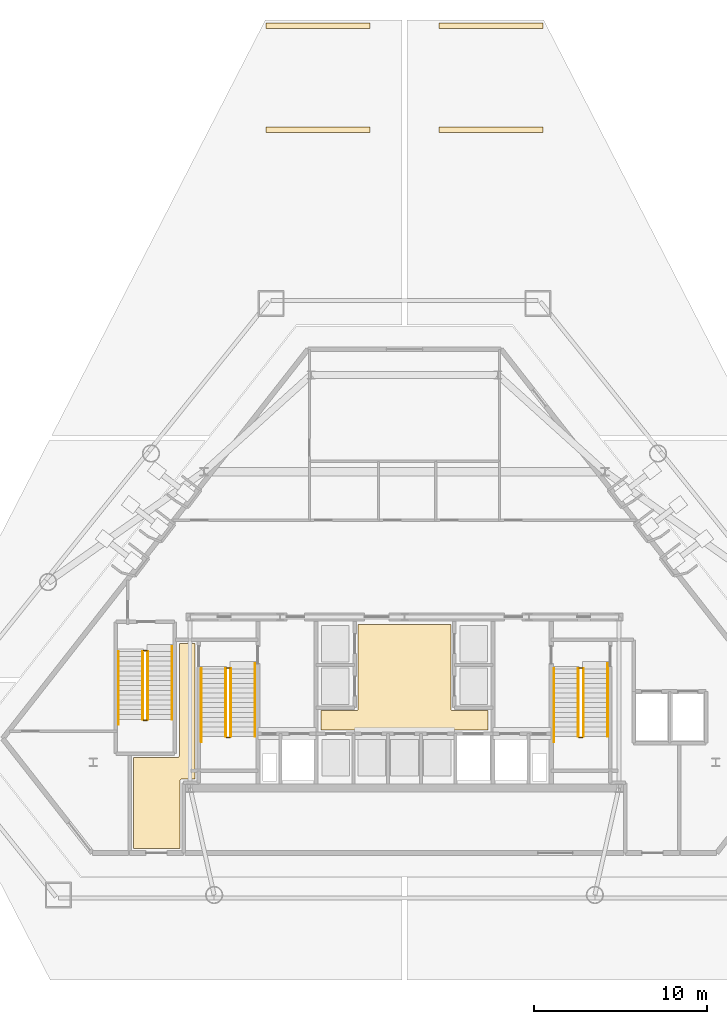
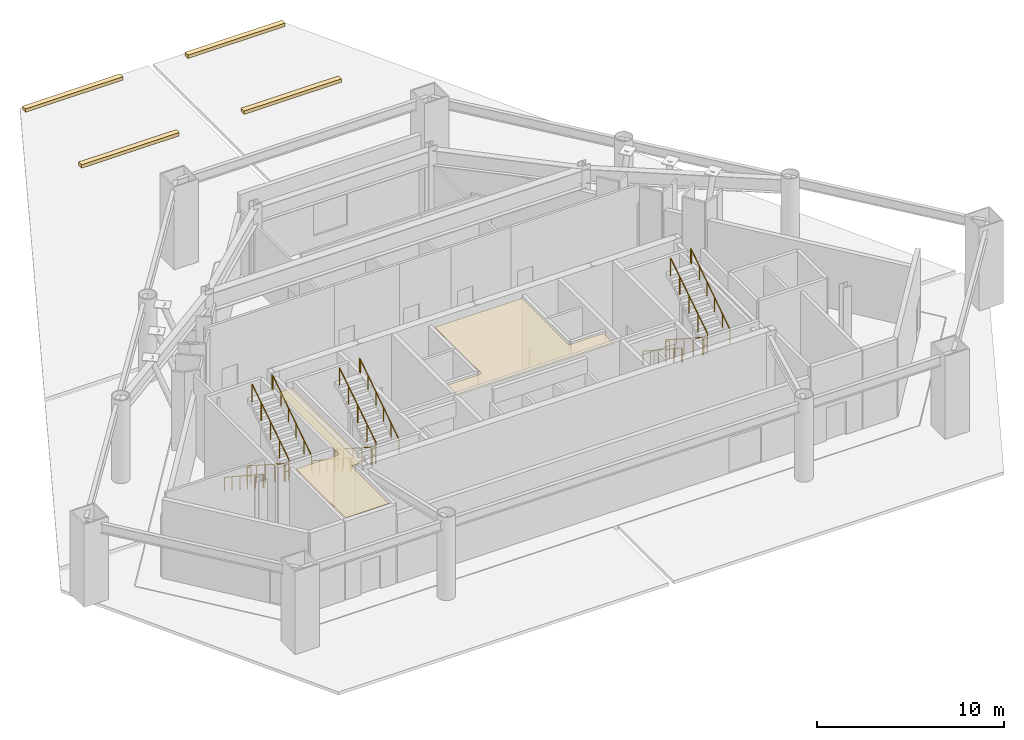
# One storey, part 8 of 9: 18 railings, 6 coverings.
"""IFC4 building model written with IfcOpenShell, lengths in metres."""

from ifc_helpers import new_model, si_unit, direction, frame, origin, origin_2d, place, context, subcontext, project, spatial, polyline, rectangle, outline, extrude, material, layer, layer_set, type_object, element, save


model = new_model("IFC4")

# Units and contexts
model_context = context("Model", 3, precision=1e-05, world=origin(), true_north=direction((0.0, 1.0)))
body_context = subcontext(model_context, "Body", "Model", "MODEL_VIEW")
ifc_project = project(units=[si_unit("LENGTHUNIT", "METRE"), si_unit("AREAUNIT", "SQUARE_METRE"), si_unit("VOLUMEUNIT", "CUBIC_METRE"), si_unit("PLANEANGLEUNIT", "RADIAN"), si_unit("MASSUNIT", "GRAM", prefix="KILO")], contexts=[model_context])

# Site, building, storey
site_placement = place(None, origin())
site = spatial("IfcSite", under=ifc_project, at=site_placement, CompositionType="ELEMENT")
building_placement = place(site_placement, origin())
building = spatial("IfcBuilding", under=site, at=building_placement, Name="Talgorran Terracotta Tower", CompositionType="ELEMENT")
storey_placement = place(building_placement, origin())
storey = spatial("IfcBuildingStorey", under=building, at=storey_placement, Name="L00", CompositionType="ELEMENT", Elevation=0.0)

# Coverings
ifc_material_1 = material(Name="Mineral Fibre Acoustic Tile")
ifc_layer_1 = layer(ifc_material_1, 0.02490234375, Name="COV_CEIL_ACOUSTIC")
ifc_layer_set_1 = layer_set([ifc_layer_1], Name="Mineral Fibre Acoustic Tile")
covering_type_1 = type_object("IfcCoveringType", Name="COV_CEIL_ACOUSTIC", PredefinedType="CEILING", material=ifc_layer_set_1)
covering_1_placement = place(storey_placement, frame((0.0, 0.0, 5.030029296875)))
element("IfcCovering", 1, at=covering_1_placement, inside=storey, type_object=covering_type_1, Name="CEIL-L00-2", PredefinedType="CEILING", context=body_context, shape_type="SweptSolid", body=[
    extrude(outline(polyline([(-12.1201171875, -5.719970703125), (-12.1201171875, -13.580078125), (-12.8798828125, -13.580078125), (-12.891845703125, -13.58056640625), (-12.9033203125, -13.582275390625), (-12.914794921875, -13.585205078125), (-12.92578125, -13.589111328125), (-12.9365234375, -13.59423828125), (-12.94677734375, -13.60009765625), (-12.9560546875, -13.607177734375), (-12.96484375, -13.614990234375), (-12.972900390625, -13.623779296875), (-12.979736328125, -13.63330078125), (-12.98583984375, -13.643310546875), (-12.990966796875, -13.654052734375), (-12.994873046875, -13.665283203125), (-12.997802734375, -13.676513671875), (-12.99951171875, -13.688232421875), (-13.0, -13.699951171875), (-13.0, -17.60009765625), (-15.679931640625, -17.60009765625), (-15.679931640625, -12.340087890625), (-13.14990234375, -12.340087890625), (-13.13818359375, -12.33935546875), (-13.126708984375, -12.337646484375), (-13.115234375, -12.334716796875), (-13.10400390625, -12.330810546875), (-13.093505859375, -12.32568359375), (-13.083251953125, -12.31982421875), (-13.073974609375, -12.312744140625), (-13.065185546875, -12.304931640625), (-13.05712890625, -12.296142578125), (-13.05029296875, -12.28662109375), (-13.044189453125, -12.276611328125), (-13.0390625, -12.265869140625), (-13.03515625, -12.2548828125), (-13.0322265625, -12.243408203125), (-13.030517578125, -12.231689453125), (-13.030029296875, -12.219970703125), (-13.030029296875, -5.719970703125), (-12.1201171875, -5.719970703125)])), origin(), (0.0, 0.0, 1.0), 0.02001953125),
])
ifc_material_2 = material(Name="Flush Moisture-Resistant Plaster")
ifc_layer_2 = layer(ifc_material_2, 0.01806640625, Name="COV_CEIL_PLASTER")
ifc_layer_set_2 = layer_set([ifc_layer_2], Name="Flush Moisture-Resistant Plaster")
covering_type_2 = type_object("IfcCoveringType", Name="COV_CEIL_PLASTER", PredefinedType="CEILING", material=ifc_layer_set_2)
covering_2_placement = place(storey_placement, frame((0.0, 0.0, 5.030029296875)))
element("IfcCovering", 2, at=covering_2_placement, inside=storey, type_object=covering_type_2, Name="CEIL-L00-1", PredefinedType="CEILING", context=body_context, shape_type="SweptSolid", body=[
    extrude(outline(polyline([(-4.830078125, -9.6201171875), (-2.800048828125, -9.6201171875), (-2.7880859375, -9.619384765625), (-2.776611328125, -9.61767578125), (-2.76513671875, -9.61474609375), (-2.754150390625, -9.61083984375), (-2.743408203125, -9.605712890625), (-2.7333984375, -9.599853515625), (-2.723876953125, -9.5927734375), (-2.715087890625, -9.5849609375), (-2.707275390625, -9.576171875), (-2.7001953125, -9.566650390625), (-2.694091796875, -9.556640625), (-2.689208984375, -9.5458984375), (-2.685302734375, -9.534912109375), (-2.682373046875, -9.5234375), (-2.6806640625, -9.51171875), (-2.679931640625, -9.5), (-2.679931640625, -4.6201171875), (2.679931640625, -4.6201171875), (2.679931640625, -9.5), (2.6806640625, -9.51171875), (2.682373046875, -9.5234375), (2.685302734375, -9.534912109375), (2.689208984375, -9.5458984375), (2.694091796875, -9.556640625), (2.7001953125, -9.566650390625), (2.707275390625, -9.576171875), (2.715087890625, -9.5849609375), (2.723876953125, -9.5927734375), (2.7333984375, -9.599853515625), (2.743408203125, -9.605712890625), (2.754150390625, -9.61083984375), (2.76513671875, -9.61474609375), (2.776611328125, -9.61767578125), (2.7880859375, -9.619384765625), (2.800048828125, -9.6201171875), (4.830078125, -9.6201171875), (4.830078125, -10.72998046875), (-4.830078125, -10.72998046875), (-4.830078125, -9.6201171875)])), origin(), (0.0, 0.0, 1.0), 0.02001953125),
])
ifc_material_3 = material(Name="Kiln-Fired Terracotta Planter Rim", Category="masonry")
ifc_layer_3 = layer(ifc_material_3, 0.10009765625, Name="COV_PLANTER_RIM")
ifc_layer_set_3 = layer_set([ifc_layer_3], Name="Kiln-Fired Terracotta Planter Rim")
covering_type_3 = type_object("IfcCoveringType", Name="COV_PLANTER_RIM", PredefinedType="CLADDING", material=ifc_layer_set_3)
for number, where, z_axis, x_axis, name in (
    (3, (-5.0, 24.0, 0.0), (0.0, 0.0, 1.0), (1.0, 0.0, 0.0), "Forecourt Plaza Planter Curb 1"),
    (4, (5.0, 24.0, 0.0), (0.0, 0.0, 1.0), (1.0, 0.0, 0.0), "Forecourt Plaza Planter Curb 2"),
    (5, (-5.0, 30.0, 0.0), (0.0, 0.0, 1.0), (1.0, 0.0, 0.0), "Forecourt Plaza Planter Curb 3"),
    (6, (5.0, 30.0, 0.0), (0.0, 0.0, 1.0), (1.0, 0.0, 0.0), "Forecourt Plaza Planter Curb 4"),
):
    element("IfcCovering", number, at=place(storey_placement, frame(where, z_axis=z_axis, x_axis=x_axis)), inside=storey, type_object=covering_type_3, Name=name, PredefinedType="CLADDING", context=body_context, shape_type="SweptSolid", body=[
        extrude(rectangle(XDim=6.0, YDim=0.320068359375, at=origin_2d()), origin(), (0.0, 0.0, 1.0), 0.219970703125),
    ])

# Railings
ifc_material_4 = material(Name="Steel S355 (300PLUS)", Category="steel")
railing_type_1 = type_object("IfcRailingType", Name="RL_HANDRAIL_920", PredefinedType="HANDRAIL", material=ifc_material_4)
railing_1_placement = place(storey_placement, frame((-11.75, -7.199951171875, 0.179931640625)))
element("IfcRailing", 7, at=railing_1_placement, inside=storey, type_object=railing_type_1, Name="L00 ST-01 stair handrail 1", PredefinedType="HANDRAIL", context=body_context, shape_type="SweptSolid", body=[
    extrude(rectangle(XDim=0.048095703125, YDim=0.048095703125, at=origin_2d()), frame((0.0, 0.0, 0.89599609375), z_axis=(0.0, -0.835181450546, 0.549974494557), x_axis=(1.0, 0.0, 0.0)), (0.0, 0.0, 1.0), 4.9091796875),
    extrude(rectangle(XDim=0.048095703125, YDim=0.048095703125, at=origin_2d()), frame((0.0, -4.10009765625, 3.595703125), z_axis=(0.0, -1.0, 0.0), x_axis=(1.0, 0.0, 0.0)), (0.0, 0.0, 1.0), 0.119873046875),
    extrude(rectangle(XDim=0.0419921875, YDim=0.0419921875, at=origin_2d()), origin(), (0.0, 0.0, 1.0), 0.871826171875),
    extrude(rectangle(XDim=0.0419921875, YDim=0.0419921875, at=origin_2d()), frame((0.0, -0.820068359375, 0.5400390625)), (0.0, 0.0, 1.0), 0.871826171875),
    extrude(rectangle(XDim=0.0419921875, YDim=0.0419921875, at=origin_2d()), frame((0.0, -1.64013671875, 1.080078125)), (0.0, 0.0, 1.0), 0.871826171875),
    extrude(rectangle(XDim=0.0419921875, YDim=0.0419921875, at=origin_2d()), frame((0.0, -2.4599609375, 1.619873046875)), (0.0, 0.0, 1.0), 0.871826171875),
    extrude(rectangle(XDim=0.0419921875, YDim=0.0419921875, at=origin_2d()), frame((0.0, -3.280029296875, 2.159912109375)), (0.0, 0.0, 1.0), 0.871826171875),
    extrude(rectangle(XDim=0.0419921875, YDim=0.0419921875, at=origin_2d()), frame((0.0, -4.10009765625, 2.699951171875)), (0.0, 0.0, 1.0), 0.871826171875),
    extrude(rectangle(XDim=0.0419921875, YDim=0.0419921875, at=origin_2d()), frame((0.0, -4.219970703125, 2.699951171875)), (0.0, 0.0, 1.0), 0.871826171875),
])
railing_2_placement = place(storey_placement, frame((-8.64990234375, -11.1201171875, 2.8798828125)))
element("IfcRailing", 8, at=railing_2_placement, inside=storey, type_object=railing_type_1, Name="L00 ST-01 stair handrail 2", PredefinedType="HANDRAIL", context=body_context, shape_type="SweptSolid", body=[
    extrude(rectangle(XDim=0.048095703125, YDim=0.048095703125, at=origin_2d()), frame((0.0, 0.0, 0.89599609375), z_axis=(0.0, 0.835158607612, 0.550009181862), x_axis=(-1.0, 0.0, 0.0)), (0.0, 0.0, 1.0), 4.909423828125),
    extrude(rectangle(XDim=0.048095703125, YDim=0.048095703125, at=origin_2d()), frame((0.0, 4.10009765625, 3.59619140625), z_axis=(0.0, 1.0, 0.0), x_axis=(-1.0, 0.0, 0.0)), (0.0, 0.0, 1.0), 0.1201171875),
    extrude(rectangle(XDim=0.0419921875, YDim=0.0419921875, at=origin_2d()), origin(), (0.0, 0.0, 1.0), 0.871826171875),
    extrude(rectangle(XDim=0.0419921875, YDim=0.0419921875, at=origin_2d()), frame((0.0, 0.820068359375, 0.5400390625)), (0.0, 0.0, 1.0), 0.871826171875),
    extrude(rectangle(XDim=0.0419921875, YDim=0.0419921875, at=origin_2d()), frame((0.0, 1.64013671875, 1.080078125)), (0.0, 0.0, 1.0), 0.871826171875),
    extrude(rectangle(XDim=0.0419921875, YDim=0.0419921875, at=origin_2d()), frame((0.0, 2.4599609375, 1.6201171875)), (0.0, 0.0, 1.0), 0.871826171875),
    extrude(rectangle(XDim=0.0419921875, YDim=0.0419921875, at=origin_2d()), frame((0.0, 3.280029296875, 2.16015625)), (0.0, 0.0, 1.0), 0.871826171875),
    extrude(rectangle(XDim=0.0419921875, YDim=0.0419921875, at=origin_2d()), frame((0.0, 4.10009765625, 2.7001953125)), (0.0, 0.0, 1.0), 0.871826171875),
    extrude(rectangle(XDim=0.0419921875, YDim=0.0419921875, at=origin_2d()), frame((0.0, 4.22021484375, 2.7001953125)), (0.0, 0.0, 1.0), 0.871826171875),
])
railing_3_placement = place(storey_placement, frame((8.64990234375, -7.199951171875, 0.179931640625)))
element("IfcRailing", 9, at=railing_3_placement, inside=storey, type_object=railing_type_1, Name="L00 ST-02 stair handrail 1", PredefinedType="HANDRAIL", context=body_context, shape_type="SweptSolid", body=[
    extrude(rectangle(XDim=0.048095703125, YDim=0.048095703125, at=origin_2d()), frame((0.0, 0.0, 0.89599609375), z_axis=(0.0, -0.835181450546, 0.549974494557), x_axis=(1.0, 0.0, 0.0)), (0.0, 0.0, 1.0), 4.9091796875),
    extrude(rectangle(XDim=0.048095703125, YDim=0.048095703125, at=origin_2d()), frame((0.0, -4.10009765625, 3.595703125), z_axis=(0.0, -1.0, 0.0), x_axis=(1.0, 0.0, 0.0)), (0.0, 0.0, 1.0), 0.119873046875),
    extrude(rectangle(XDim=0.0419921875, YDim=0.0419921875, at=origin_2d()), origin(), (0.0, 0.0, 1.0), 0.871826171875),
    extrude(rectangle(XDim=0.0419921875, YDim=0.0419921875, at=origin_2d()), frame((0.0, -0.820068359375, 0.5400390625)), (0.0, 0.0, 1.0), 0.871826171875),
    extrude(rectangle(XDim=0.0419921875, YDim=0.0419921875, at=origin_2d()), frame((0.0, -1.64013671875, 1.080078125)), (0.0, 0.0, 1.0), 0.871826171875),
    extrude(rectangle(XDim=0.0419921875, YDim=0.0419921875, at=origin_2d()), frame((0.0, -2.4599609375, 1.619873046875)), (0.0, 0.0, 1.0), 0.871826171875),
    extrude(rectangle(XDim=0.0419921875, YDim=0.0419921875, at=origin_2d()), frame((0.0, -3.280029296875, 2.159912109375)), (0.0, 0.0, 1.0), 0.871826171875),
    extrude(rectangle(XDim=0.0419921875, YDim=0.0419921875, at=origin_2d()), frame((0.0, -4.10009765625, 2.699951171875)), (0.0, 0.0, 1.0), 0.871826171875),
    extrude(rectangle(XDim=0.0419921875, YDim=0.0419921875, at=origin_2d()), frame((0.0, -4.219970703125, 2.699951171875)), (0.0, 0.0, 1.0), 0.871826171875),
])
railing_4_placement = place(storey_placement, frame((11.75, -11.1201171875, 2.8798828125)))
element("IfcRailing", 10, at=railing_4_placement, inside=storey, type_object=railing_type_1, Name="L00 ST-02 stair handrail 2", PredefinedType="HANDRAIL", context=body_context, shape_type="SweptSolid", body=[
    extrude(rectangle(XDim=0.048095703125, YDim=0.048095703125, at=origin_2d()), frame((0.0, 0.0, 0.89599609375), z_axis=(0.0, 0.835158607612, 0.550009181862), x_axis=(-1.0, 0.0, 0.0)), (0.0, 0.0, 1.0), 4.909423828125),
    extrude(rectangle(XDim=0.048095703125, YDim=0.048095703125, at=origin_2d()), frame((0.0, 4.10009765625, 3.59619140625), z_axis=(0.0, 1.0, 0.0), x_axis=(-1.0, 0.0, 0.0)), (0.0, 0.0, 1.0), 0.1201171875),
    extrude(rectangle(XDim=0.0419921875, YDim=0.0419921875, at=origin_2d()), origin(), (0.0, 0.0, 1.0), 0.871826171875),
    extrude(rectangle(XDim=0.0419921875, YDim=0.0419921875, at=origin_2d()), frame((0.0, 0.820068359375, 0.5400390625)), (0.0, 0.0, 1.0), 0.871826171875),
    extrude(rectangle(XDim=0.0419921875, YDim=0.0419921875, at=origin_2d()), frame((0.0, 1.64013671875, 1.080078125)), (0.0, 0.0, 1.0), 0.871826171875),
    extrude(rectangle(XDim=0.0419921875, YDim=0.0419921875, at=origin_2d()), frame((0.0, 2.4599609375, 1.6201171875)), (0.0, 0.0, 1.0), 0.871826171875),
    extrude(rectangle(XDim=0.0419921875, YDim=0.0419921875, at=origin_2d()), frame((0.0, 3.280029296875, 2.16015625)), (0.0, 0.0, 1.0), 0.871826171875),
    extrude(rectangle(XDim=0.0419921875, YDim=0.0419921875, at=origin_2d()), frame((0.0, 4.10009765625, 2.7001953125)), (0.0, 0.0, 1.0), 0.871826171875),
    extrude(rectangle(XDim=0.0419921875, YDim=0.0419921875, at=origin_2d()), frame((0.0, 4.22021484375, 2.7001953125)), (0.0, 0.0, 1.0), 0.871826171875),
])
railing_5_placement = place(storey_placement, frame((-16.550048828125, -6.199951171875, 0.179931640625)))
element("IfcRailing", 11, at=railing_5_placement, inside=storey, type_object=railing_type_1, Name="L00 ST-03 stair handrail 1", PredefinedType="HANDRAIL", context=body_context, shape_type="SweptSolid", body=[
    extrude(rectangle(XDim=0.048095703125, YDim=0.048095703125, at=origin_2d()), frame((0.0, 0.0, 0.89599609375), z_axis=(0.0, -0.835181450546, 0.549974494557), x_axis=(1.0, 0.0, 0.0)), (0.0, 0.0, 1.0), 4.9091796875),
    extrude(rectangle(XDim=0.048095703125, YDim=0.048095703125, at=origin_2d()), frame((0.0, -4.10009765625, 3.595703125), z_axis=(0.0, -1.0, 0.0), x_axis=(1.0, 0.0, 0.0)), (0.0, 0.0, 1.0), 0.119873046875),
    extrude(rectangle(XDim=0.0419921875, YDim=0.0419921875, at=origin_2d()), origin(), (0.0, 0.0, 1.0), 0.871826171875),
    extrude(rectangle(XDim=0.0419921875, YDim=0.0419921875, at=origin_2d()), frame((0.0, -0.820068359375, 0.5400390625)), (0.0, 0.0, 1.0), 0.871826171875),
    extrude(rectangle(XDim=0.0419921875, YDim=0.0419921875, at=origin_2d()), frame((0.0, -1.64013671875, 1.080078125)), (0.0, 0.0, 1.0), 0.871826171875),
    extrude(rectangle(XDim=0.0419921875, YDim=0.0419921875, at=origin_2d()), frame((0.0, -2.4599609375, 1.619873046875)), (0.0, 0.0, 1.0), 0.871826171875),
    extrude(rectangle(XDim=0.0419921875, YDim=0.0419921875, at=origin_2d()), frame((0.0, -3.280029296875, 2.159912109375)), (0.0, 0.0, 1.0), 0.871826171875),
    extrude(rectangle(XDim=0.0419921875, YDim=0.0419921875, at=origin_2d()), frame((0.0, -4.10009765625, 2.699951171875)), (0.0, 0.0, 1.0), 0.871826171875),
    extrude(rectangle(XDim=0.0419921875, YDim=0.0419921875, at=origin_2d()), frame((0.0, -4.219970703125, 2.699951171875)), (0.0, 0.0, 1.0), 0.871826171875),
])
railing_6_placement = place(storey_placement, frame((-13.449951171875, -10.1201171875, 2.8798828125)))
element("IfcRailing", 12, at=railing_6_placement, inside=storey, type_object=railing_type_1, Name="L00 ST-03 stair handrail 2", PredefinedType="HANDRAIL", context=body_context, shape_type="SweptSolid", body=[
    extrude(rectangle(XDim=0.048095703125, YDim=0.048095703125, at=origin_2d()), frame((0.0, 0.0, 0.89599609375), z_axis=(0.0, 0.835158607612, 0.550009181862), x_axis=(-1.0, 0.0, 0.0)), (0.0, 0.0, 1.0), 4.909423828125),
    extrude(rectangle(XDim=0.048095703125, YDim=0.048095703125, at=origin_2d()), frame((0.0, 4.10009765625, 3.59619140625), z_axis=(0.0, 1.0, 0.0), x_axis=(-1.0, 0.0, 0.0)), (0.0, 0.0, 1.0), 0.1201171875),
    extrude(rectangle(XDim=0.0419921875, YDim=0.0419921875, at=origin_2d()), origin(), (0.0, 0.0, 1.0), 0.871826171875),
    extrude(rectangle(XDim=0.0419921875, YDim=0.0419921875, at=origin_2d()), frame((0.0, 0.820068359375, 0.5400390625)), (0.0, 0.0, 1.0), 0.871826171875),
    extrude(rectangle(XDim=0.0419921875, YDim=0.0419921875, at=origin_2d()), frame((0.0, 1.64013671875, 1.080078125)), (0.0, 0.0, 1.0), 0.871826171875),
    extrude(rectangle(XDim=0.0419921875, YDim=0.0419921875, at=origin_2d()), frame((0.0, 2.4599609375, 1.6201171875)), (0.0, 0.0, 1.0), 0.871826171875),
    extrude(rectangle(XDim=0.0419921875, YDim=0.0419921875, at=origin_2d()), frame((0.0, 3.280029296875, 2.16015625)), (0.0, 0.0, 1.0), 0.871826171875),
    extrude(rectangle(XDim=0.0419921875, YDim=0.0419921875, at=origin_2d()), frame((0.0, 4.10009765625, 2.7001953125)), (0.0, 0.0, 1.0), 0.871826171875),
    extrude(rectangle(XDim=0.0419921875, YDim=0.0419921875, at=origin_2d()), frame((0.0, 4.22021484375, 2.7001953125)), (0.0, 0.0, 1.0), 0.871826171875),
])
railing_type_2 = type_object("IfcRailingType", Name="RL_STAIR_GUARD", PredefinedType="GUARDRAIL", material=ifc_material_4)
railing_7_placement = place(storey_placement, frame((-10.35009765625, -7.199951171875, 0.179931640625)))
element("IfcRailing", 13, at=railing_7_placement, inside=storey, type_object=railing_type_2, Name="L00 ST-01 stair guard 1", PredefinedType="GUARDRAIL", context=body_context, shape_type="SweptSolid", body=[
    extrude(rectangle(XDim=0.048095703125, YDim=0.048095703125, at=origin_2d()), frame((0.0, 0.0, 1.15576171875), z_axis=(0.0, -0.841186985886, 0.540744352514), x_axis=(1.0, 0.0, 0.0)), (0.0, 0.0, 1.0), 4.660400390625),
    extrude(rectangle(XDim=0.0419921875, YDim=0.0419921875, at=origin_2d()), origin(), (0.0, 0.0, 1.0), 1.1318359375),
    extrude(rectangle(XDim=0.0419921875, YDim=0.0419921875, at=origin_2d()), frame((0.0, -0.97998046875, 0.6298828125)), (0.0, 0.0, 1.0), 1.1318359375),
    extrude(rectangle(XDim=0.0419921875, YDim=0.0419921875, at=origin_2d()), frame((0.0, -1.9599609375, 1.260009765625)), (0.0, 0.0, 1.0), 1.1318359375),
    extrude(rectangle(XDim=0.0419921875, YDim=0.0419921875, at=origin_2d()), frame((0.0, -2.940185546875, 1.89013671875)), (0.0, 0.0, 1.0), 1.1318359375),
    extrude(rectangle(XDim=0.0419921875, YDim=0.0419921875, at=origin_2d()), frame((0.0, -3.920166015625, 2.52001953125)), (0.0, 0.0, 1.0), 1.1318359375),
])
railing_8_placement = place(storey_placement, frame((-10.300048828125, -11.169921875, 2.699951171875)))
element("IfcRailing", 14, at=railing_8_placement, inside=storey, type_object=railing_type_2, Name="L00 ST-01 stair guard 2", PredefinedType="GUARDRAIL", context=body_context, shape_type="SweptSolid", body=[
    extrude(rectangle(XDim=0.048095703125, YDim=0.048095703125, at=origin_2d()), frame((0.0, 0.0, 1.15576171875), z_axis=(1.0, 0.0, 0.0), x_axis=(0.0, 1.0, 0.0)), (0.0, 0.0, 1.0), 0.199951171875),
    extrude(rectangle(XDim=0.048095703125, YDim=0.048095703125, at=origin_2d()), frame((0.0, 0.0, 0.613525390625), z_axis=(1.0, 0.0, 0.0), x_axis=(0.0, 1.0, 0.0)), (0.0, 0.0, 1.0), 0.199951171875),
    extrude(rectangle(XDim=0.0419921875, YDim=0.0419921875, at=origin_2d()), origin(), (0.0, 0.0, 1.0), 1.1318359375),
    extrude(rectangle(XDim=0.0419921875, YDim=0.0419921875, at=origin_2d()), frame((0.199951171875, 0.0, 0.0)), (0.0, 0.0, 1.0), 1.1318359375),
])
railing_9_placement = place(storey_placement, frame((-10.050048828125, -11.1201171875, 2.8798828125)))
element("IfcRailing", 15, at=railing_9_placement, inside=storey, type_object=railing_type_2, Name="L00 ST-01 stair guard 3", PredefinedType="GUARDRAIL", context=body_context, shape_type="SweptSolid", body=[
    extrude(rectangle(XDim=0.048095703125, YDim=0.048095703125, at=origin_2d()), frame((0.0, 0.0, 1.15576171875), z_axis=(0.0, 0.841186985886, 0.540744352514), x_axis=(-1.0, 0.0, 0.0)), (0.0, 0.0, 1.0), 4.660400390625),
    extrude(rectangle(XDim=0.0419921875, YDim=0.0419921875, at=origin_2d()), origin(), (0.0, 0.0, 1.0), 1.1318359375),
    extrude(rectangle(XDim=0.0419921875, YDim=0.0419921875, at=origin_2d()), frame((0.0, 0.97998046875, 0.6298828125)), (0.0, 0.0, 1.0), 1.1318359375),
    extrude(rectangle(XDim=0.0419921875, YDim=0.0419921875, at=origin_2d()), frame((0.0, 1.9599609375, 1.260009765625)), (0.0, 0.0, 1.0), 1.1318359375),
    extrude(rectangle(XDim=0.0419921875, YDim=0.0419921875, at=origin_2d()), frame((0.0, 2.940185546875, 1.89013671875)), (0.0, 0.0, 1.0), 1.1318359375),
    extrude(rectangle(XDim=0.0419921875, YDim=0.0419921875, at=origin_2d()), frame((0.0, 3.920166015625, 2.52001953125)), (0.0, 0.0, 1.0), 1.1318359375),
])
railing_10_placement = place(storey_placement, frame((-10.300048828125, -7.14990234375, 0.0)))
element("IfcRailing", 16, at=railing_10_placement, inside=storey, type_object=railing_type_2, Name="L00 ST-01 stair guard 4", PredefinedType="GUARDRAIL", context=body_context, shape_type="SweptSolid", body=[
    extrude(rectangle(XDim=0.048095703125, YDim=0.048095703125, at=origin_2d()), frame((0.0, 0.0, 1.15576171875), z_axis=(1.0, 0.0, 0.0), x_axis=(0.0, 1.0, 0.0)), (0.0, 0.0, 1.0), 0.199951171875),
    extrude(rectangle(XDim=0.048095703125, YDim=0.048095703125, at=origin_2d()), frame((0.0, 0.0, 0.613525390625), z_axis=(1.0, 0.0, 0.0), x_axis=(0.0, 1.0, 0.0)), (0.0, 0.0, 1.0), 0.199951171875),
    extrude(rectangle(XDim=0.0419921875, YDim=0.0419921875, at=origin_2d()), origin(), (0.0, 0.0, 1.0), 1.1318359375),
    extrude(rectangle(XDim=0.0419921875, YDim=0.0419921875, at=origin_2d()), frame((0.199951171875, 0.0, 0.0)), (0.0, 0.0, 1.0), 1.1318359375),
])
railing_11_placement = place(storey_placement, frame((10.050048828125, -7.199951171875, 0.179931640625)))
element("IfcRailing", 17, at=railing_11_placement, inside=storey, type_object=railing_type_2, Name="L00 ST-02 stair guard 1", PredefinedType="GUARDRAIL", context=body_context, shape_type="SweptSolid", body=[
    extrude(rectangle(XDim=0.048095703125, YDim=0.048095703125, at=origin_2d()), frame((0.0, 0.0, 1.15576171875), z_axis=(0.0, -0.841186985886, 0.540744352514), x_axis=(1.0, 0.0, 0.0)), (0.0, 0.0, 1.0), 4.660400390625),
    extrude(rectangle(XDim=0.0419921875, YDim=0.0419921875, at=origin_2d()), origin(), (0.0, 0.0, 1.0), 1.1318359375),
    extrude(rectangle(XDim=0.0419921875, YDim=0.0419921875, at=origin_2d()), frame((0.0, -0.97998046875, 0.6298828125)), (0.0, 0.0, 1.0), 1.1318359375),
    extrude(rectangle(XDim=0.0419921875, YDim=0.0419921875, at=origin_2d()), frame((0.0, -1.9599609375, 1.260009765625)), (0.0, 0.0, 1.0), 1.1318359375),
    extrude(rectangle(XDim=0.0419921875, YDim=0.0419921875, at=origin_2d()), frame((0.0, -2.940185546875, 1.89013671875)), (0.0, 0.0, 1.0), 1.1318359375),
    extrude(rectangle(XDim=0.0419921875, YDim=0.0419921875, at=origin_2d()), frame((0.0, -3.920166015625, 2.52001953125)), (0.0, 0.0, 1.0), 1.1318359375),
])
railing_12_placement = place(storey_placement, frame((10.10009765625, -11.169921875, 2.699951171875)))
element("IfcRailing", 18, at=railing_12_placement, inside=storey, type_object=railing_type_2, Name="L00 ST-02 stair guard 2", PredefinedType="GUARDRAIL", context=body_context, shape_type="SweptSolid", body=[
    extrude(rectangle(XDim=0.048095703125, YDim=0.048095703125, at=origin_2d()), frame((0.0, 0.0, 1.15576171875), z_axis=(1.0, 0.0, 0.0), x_axis=(0.0, 1.0, 0.0)), (0.0, 0.0, 1.0), 0.199951171875),
    extrude(rectangle(XDim=0.048095703125, YDim=0.048095703125, at=origin_2d()), frame((0.0, 0.0, 0.613525390625), z_axis=(1.0, 0.0, 0.0), x_axis=(0.0, 1.0, 0.0)), (0.0, 0.0, 1.0), 0.199951171875),
    extrude(rectangle(XDim=0.0419921875, YDim=0.0419921875, at=origin_2d()), origin(), (0.0, 0.0, 1.0), 1.1318359375),
    extrude(rectangle(XDim=0.0419921875, YDim=0.0419921875, at=origin_2d()), frame((0.199951171875, 0.0, 0.0)), (0.0, 0.0, 1.0), 1.1318359375),
])
railing_13_placement = place(storey_placement, frame((10.35009765625, -11.1201171875, 2.8798828125)))
element("IfcRailing", 19, at=railing_13_placement, inside=storey, type_object=railing_type_2, Name="L00 ST-02 stair guard 3", PredefinedType="GUARDRAIL", context=body_context, shape_type="SweptSolid", body=[
    extrude(rectangle(XDim=0.048095703125, YDim=0.048095703125, at=origin_2d()), frame((0.0, 0.0, 1.15576171875), z_axis=(0.0, 0.841186985886, 0.540744352514), x_axis=(-1.0, 0.0, 0.0)), (0.0, 0.0, 1.0), 4.660400390625),
    extrude(rectangle(XDim=0.0419921875, YDim=0.0419921875, at=origin_2d()), origin(), (0.0, 0.0, 1.0), 1.1318359375),
    extrude(rectangle(XDim=0.0419921875, YDim=0.0419921875, at=origin_2d()), frame((0.0, 0.97998046875, 0.6298828125)), (0.0, 0.0, 1.0), 1.1318359375),
    extrude(rectangle(XDim=0.0419921875, YDim=0.0419921875, at=origin_2d()), frame((0.0, 1.9599609375, 1.260009765625)), (0.0, 0.0, 1.0), 1.1318359375),
    extrude(rectangle(XDim=0.0419921875, YDim=0.0419921875, at=origin_2d()), frame((0.0, 2.940185546875, 1.89013671875)), (0.0, 0.0, 1.0), 1.1318359375),
    extrude(rectangle(XDim=0.0419921875, YDim=0.0419921875, at=origin_2d()), frame((0.0, 3.920166015625, 2.52001953125)), (0.0, 0.0, 1.0), 1.1318359375),
])
railing_14_placement = place(storey_placement, frame((10.10009765625, -7.14990234375, 0.0)))
element("IfcRailing", 20, at=railing_14_placement, inside=storey, type_object=railing_type_2, Name="L00 ST-02 stair guard 4", PredefinedType="GUARDRAIL", context=body_context, shape_type="SweptSolid", body=[
    extrude(rectangle(XDim=0.048095703125, YDim=0.048095703125, at=origin_2d()), frame((0.0, 0.0, 1.15576171875), z_axis=(1.0, 0.0, 0.0), x_axis=(0.0, 1.0, 0.0)), (0.0, 0.0, 1.0), 0.199951171875),
    extrude(rectangle(XDim=0.048095703125, YDim=0.048095703125, at=origin_2d()), frame((0.0, 0.0, 0.613525390625), z_axis=(1.0, 0.0, 0.0), x_axis=(0.0, 1.0, 0.0)), (0.0, 0.0, 1.0), 0.199951171875),
    extrude(rectangle(XDim=0.0419921875, YDim=0.0419921875, at=origin_2d()), origin(), (0.0, 0.0, 1.0), 1.1318359375),
    extrude(rectangle(XDim=0.0419921875, YDim=0.0419921875, at=origin_2d()), frame((0.199951171875, 0.0, 0.0)), (0.0, 0.0, 1.0), 1.1318359375),
])
railing_15_placement = place(storey_placement, frame((-15.14990234375, -6.199951171875, 0.179931640625)))
element("IfcRailing", 21, at=railing_15_placement, inside=storey, type_object=railing_type_2, Name="L00 ST-03 stair guard 1", PredefinedType="GUARDRAIL", context=body_context, shape_type="SweptSolid", body=[
    extrude(rectangle(XDim=0.048095703125, YDim=0.048095703125, at=origin_2d()), frame((0.0, 0.0, 1.15576171875), z_axis=(0.0, -0.841186985886, 0.540744352514), x_axis=(1.0, 0.0, 0.0)), (0.0, 0.0, 1.0), 4.660400390625),
    extrude(rectangle(XDim=0.0419921875, YDim=0.0419921875, at=origin_2d()), origin(), (0.0, 0.0, 1.0), 1.1318359375),
    extrude(rectangle(XDim=0.0419921875, YDim=0.0419921875, at=origin_2d()), frame((0.0, -0.97998046875, 0.6298828125)), (0.0, 0.0, 1.0), 1.1318359375),
    extrude(rectangle(XDim=0.0419921875, YDim=0.0419921875, at=origin_2d()), frame((0.0, -1.9599609375, 1.260009765625)), (0.0, 0.0, 1.0), 1.1318359375),
    extrude(rectangle(XDim=0.0419921875, YDim=0.0419921875, at=origin_2d()), frame((0.0, -2.940185546875, 1.89013671875)), (0.0, 0.0, 1.0), 1.1318359375),
    extrude(rectangle(XDim=0.0419921875, YDim=0.0419921875, at=origin_2d()), frame((0.0, -3.920166015625, 2.52001953125)), (0.0, 0.0, 1.0), 1.1318359375),
])
railing_16_placement = place(storey_placement, frame((-15.10009765625, -10.169921875, 2.699951171875)))
element("IfcRailing", 22, at=railing_16_placement, inside=storey, type_object=railing_type_2, Name="L00 ST-03 stair guard 2", PredefinedType="GUARDRAIL", context=body_context, shape_type="SweptSolid", body=[
    extrude(rectangle(XDim=0.048095703125, YDim=0.048095703125, at=origin_2d()), frame((0.0, 0.0, 1.15576171875), z_axis=(1.0, 0.0, 0.0), x_axis=(0.0, 1.0, 0.0)), (0.0, 0.0, 1.0), 0.2001953125),
    extrude(rectangle(XDim=0.048095703125, YDim=0.048095703125, at=origin_2d()), frame((0.0, 0.0, 0.613525390625), z_axis=(1.0, 0.0, 0.0), x_axis=(0.0, 1.0, 0.0)), (0.0, 0.0, 1.0), 0.2001953125),
    extrude(rectangle(XDim=0.0419921875, YDim=0.0419921875, at=origin_2d()), origin(), (0.0, 0.0, 1.0), 1.1318359375),
    extrude(rectangle(XDim=0.0419921875, YDim=0.0419921875, at=origin_2d()), frame((0.2001953125, 0.0, 0.0)), (0.0, 0.0, 1.0), 1.1318359375),
])
railing_17_placement = place(storey_placement, frame((-14.85009765625, -10.1201171875, 2.8798828125)))
element("IfcRailing", 23, at=railing_17_placement, inside=storey, type_object=railing_type_2, Name="L00 ST-03 stair guard 3", PredefinedType="GUARDRAIL", context=body_context, shape_type="SweptSolid", body=[
    extrude(rectangle(XDim=0.048095703125, YDim=0.048095703125, at=origin_2d()), frame((0.0, 0.0, 1.15576171875), z_axis=(0.0, 0.841186985886, 0.540744352514), x_axis=(-1.0, 0.0, 0.0)), (0.0, 0.0, 1.0), 4.660400390625),
    extrude(rectangle(XDim=0.0419921875, YDim=0.0419921875, at=origin_2d()), origin(), (0.0, 0.0, 1.0), 1.1318359375),
    extrude(rectangle(XDim=0.0419921875, YDim=0.0419921875, at=origin_2d()), frame((0.0, 0.97998046875, 0.6298828125)), (0.0, 0.0, 1.0), 1.1318359375),
    extrude(rectangle(XDim=0.0419921875, YDim=0.0419921875, at=origin_2d()), frame((0.0, 1.9599609375, 1.260009765625)), (0.0, 0.0, 1.0), 1.1318359375),
    extrude(rectangle(XDim=0.0419921875, YDim=0.0419921875, at=origin_2d()), frame((0.0, 2.940185546875, 1.89013671875)), (0.0, 0.0, 1.0), 1.1318359375),
    extrude(rectangle(XDim=0.0419921875, YDim=0.0419921875, at=origin_2d()), frame((0.0, 3.920166015625, 2.52001953125)), (0.0, 0.0, 1.0), 1.1318359375),
])
railing_18_placement = place(storey_placement, frame((-15.10009765625, -6.14990234375, 0.0)))
element("IfcRailing", 24, at=railing_18_placement, inside=storey, type_object=railing_type_2, Name="L00 ST-03 stair guard 4", PredefinedType="GUARDRAIL", context=body_context, shape_type="SweptSolid", body=[
    extrude(rectangle(XDim=0.048095703125, YDim=0.048095703125, at=origin_2d()), frame((0.0, 0.0, 1.15576171875), z_axis=(1.0, 0.0, 0.0), x_axis=(0.0, 1.0, 0.0)), (0.0, 0.0, 1.0), 0.2001953125),
    extrude(rectangle(XDim=0.048095703125, YDim=0.048095703125, at=origin_2d()), frame((0.0, 0.0, 0.613525390625), z_axis=(1.0, 0.0, 0.0), x_axis=(0.0, 1.0, 0.0)), (0.0, 0.0, 1.0), 0.2001953125),
    extrude(rectangle(XDim=0.0419921875, YDim=0.0419921875, at=origin_2d()), origin(), (0.0, 0.0, 1.0), 1.1318359375),
    extrude(rectangle(XDim=0.0419921875, YDim=0.0419921875, at=origin_2d()), frame((0.2001953125, 0.0, 0.0)), (0.0, 0.0, 1.0), 1.1318359375),
])

save(model, "model.ifc")
